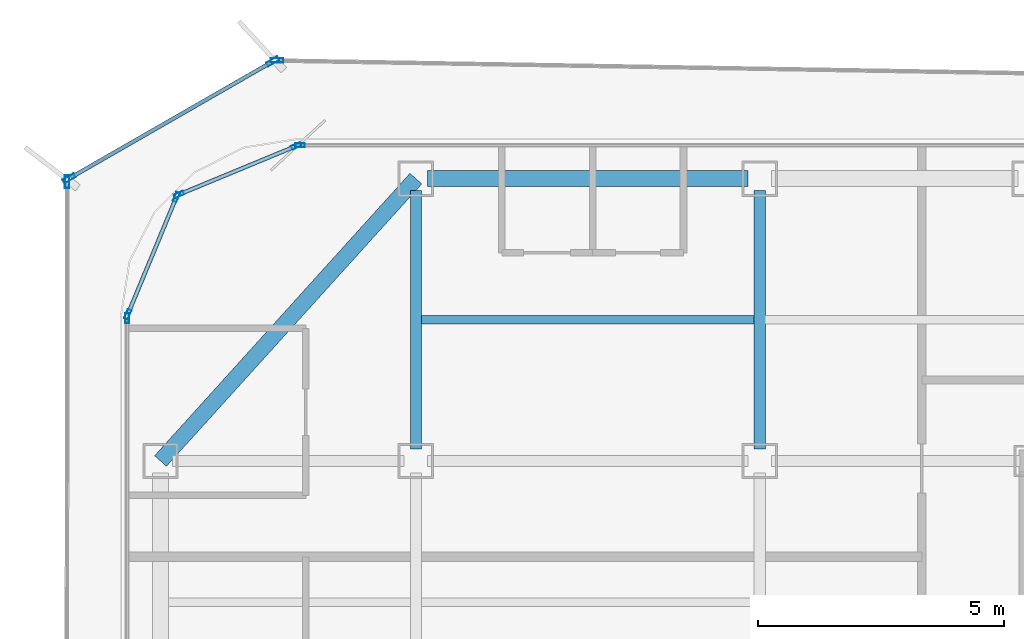
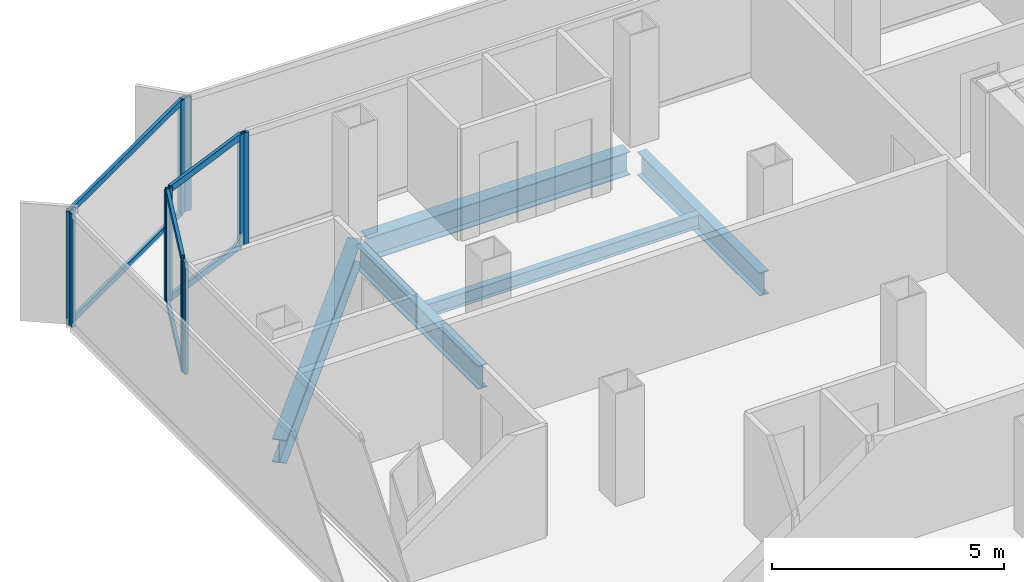
# One storey, part 6 of 16: 16 members, 5 beams, 7 elements without a shape of their own.
"""IFC4 building model written with IfcOpenShell, lengths in metres."""

from ifc_helpers import new_model, si_unit, direction, frame, origin, origin_2d, place, context, subcontext, project, spatial, hollow_rectangle, i_section, extrude, source, transform, mapped, material, layer, layer_set, material_profile, profile_set, type_object, element, aggregate, save


model = new_model("IFC4")

# Units and contexts
model_context = context("Model", 3, precision=1e-05, world=origin(), true_north=direction((0.0, 1.0)))
body_context = subcontext(model_context, "Body", "Model", "MODEL_VIEW")
ifc_project = project(units=[si_unit("LENGTHUNIT", "METRE"), si_unit("AREAUNIT", "SQUARE_METRE"), si_unit("VOLUMEUNIT", "CUBIC_METRE"), si_unit("PLANEANGLEUNIT", "RADIAN"), si_unit("MASSUNIT", "GRAM", prefix="KILO")], contexts=[model_context])

# Site, building, storey
site_placement = place(None, origin())
site = spatial("IfcSite", under=ifc_project, at=site_placement, CompositionType="ELEMENT")
building_placement = place(site_placement, origin())
building = spatial("IfcBuilding", under=site, at=building_placement, Name="Kolveth Station Tower", CompositionType="ELEMENT")
storey_placement = place(building_placement, frame((0.0, 0.0, 156.10009765625)))
storey = spatial("IfcBuildingStorey", under=building, at=storey_placement, Name="L43", CompositionType="ELEMENT", Elevation=156.10009765625)

# Beams
ifc_material_1 = material(Name="Steel S355", Category="steel")
ifc_material_profile_1 = material_profile(ifc_material_1, i_section(OverallWidth=0.323974609375, OverallDepth=0.611083984375, WebThickness=0.0126953125, FlangeThickness=0.01904296875, at=origin_2d()), Name="W610x155")
ifc_profile_set_1 = profile_set([ifc_material_profile_1], Name="Steel S355")
beam_type_1 = type_object("IfcBeamType", Name="Beam_SP2", PredefinedType="SPANDREL", material=ifc_profile_set_1)
shared_shape_1 = source(origin(), body_context, "Body", "SweptSolid", [
    extrude(i_section(OverallWidth=0.323974609375, OverallDepth=0.611083984375, WebThickness=0.0126953125, FlangeThickness=0.01904296875, at=origin_2d()), origin(), (0.0, 0.0, 1.0), 7.75244140625),
])
beam_1_placement = place(storey_placement, frame((6.0, 34.5, -0.5556640625), z_axis=(-0.670740965555, -0.74169168603, 0.0), x_axis=(0.74169168603, -0.670740965555, 0.0)))
element("IfcBeam", 1, at=beam_1_placement, inside=storey, type_object=beam_type_1, Name="L43 Corner Edge Girder BM-L43-CNR-NW", PredefinedType="SPANDREL", context=body_context, shape_type="MappedRepresentation", body=[
    mapped(shared_shape_1, transform((0.0, 0.0, 0.0), x_axis=(1.0, 0.0, 0.0), y_axis=(0.0, 1.0, 0.0), z_axis=(0.0, 0.0, 1.0), scale=1.0)),
])
shared_shape_2 = source(origin(), body_context, "Body", "SweptSolid", [
    extrude(i_section(OverallWidth=0.323974609375, OverallDepth=0.611083984375, WebThickness=0.0126953125, FlangeThickness=0.01904296875, at=origin_2d()), origin(), (0.0, 0.0, 1.0), 6.52001953125),
])
beam_2_placement = place(storey_placement, frame((6.239990234375, 34.5, -0.5556640625), z_axis=(1.0, 0.0, 0.0), x_axis=(0.0, 1.0, 0.0)))
element("IfcBeam", 2, at=beam_2_placement, inside=storey, type_object=beam_type_1, Name="L43 Perimeter Spandrel BM-L43-PN-1", PredefinedType="SPANDREL", context=body_context, shape_type="MappedRepresentation", body=[
    mapped(shared_shape_2, transform((0.0, 0.0, 0.0), x_axis=(1.0, 0.0, 0.0), y_axis=(0.0, 1.0, 0.0), z_axis=(0.0, 0.0, 1.0), scale=1.0)),
])
ifc_material_profile_2 = material_profile(ifc_material_1, i_section(OverallWidth=0.22900390625, OverallDepth=0.612060546875, WebThickness=0.011962890625, FlangeThickness=0.01953125, at=origin_2d()), Name="W610x125")
ifc_profile_set_2 = profile_set([ifc_material_profile_2], Name="Steel S355")
beam_type_2 = type_object("IfcBeamType", Name="Beam_B5", PredefinedType="BEAM", material=ifc_profile_set_2)
shared_shape_3 = source(origin(), body_context, "Body", "SweptSolid", [
    extrude(i_section(OverallWidth=0.22900390625, OverallDepth=0.612060546875, WebThickness=0.011962890625, FlangeThickness=0.01953125, at=origin_2d()), origin(), (0.0, 0.0, 1.0), 5.27001953125),
])
for number, where, z_axis, x_axis, name in (
    (3, (6.0, 28.989990234375, -0.55615234375), (0.0, 1.0, 0.0), (-1.0, 0.0, 0.0), "L43 Primary Girder BM-L43-GX60-6"),
    (4, (13.0, 28.989990234375, -0.55615234375), (0.0, 1.0, 0.0), (-1.0, 0.0, 0.0), "L43 Primary Girder BM-L43-GX130-6"),
):
    element("IfcBeam", number, at=place(storey_placement, frame(where, z_axis=z_axis, x_axis=x_axis)), inside=storey, type_object=beam_type_2, Name=name, PredefinedType="BEAM", context=body_context, shape_type="MappedRepresentation", body=[
        mapped(shared_shape_3, transform((0.0, 0.0, 0.0), x_axis=(1.0, 0.0, 0.0), y_axis=(0.0, 1.0, 0.0), z_axis=(0.0, 0.0, 1.0), scale=1.0)),
    ])
ifc_material_profile_3 = material_profile(ifc_material_1, i_section(OverallWidth=0.1708984375, OverallDepth=0.35205078125, WebThickness=0.0068359375, FlangeThickness=0.009765625, at=origin_2d()), Name="W360x44")
ifc_profile_set_3 = profile_set([ifc_material_profile_3], Name="Steel S355")
beam_type_3 = type_object("IfcBeamType", Name="Beam_J2", PredefinedType="JOIST", material=ifc_profile_set_3)
shared_shape_4 = source(origin(), body_context, "Body", "SweptSolid", [
    extrude(i_section(OverallWidth=0.1708984375, OverallDepth=0.35205078125, WebThickness=0.0068359375, FlangeThickness=0.009765625, at=origin_2d()), origin(), (0.0, 0.0, 1.0), 6.77490234375),
])
beam_3_placement = place(storey_placement, frame((6.112548828125, 31.625, -0.426025390625), z_axis=(1.0, 0.0, 0.0), x_axis=(0.0, 1.0, 0.0)))
element("IfcBeam", 5, at=beam_3_placement, inside=storey, type_object=beam_type_3, Name="L43 Secondary Joist JST-L43-2-6", PredefinedType="JOIST", context=body_context, shape_type="MappedRepresentation", body=[
    mapped(shared_shape_4, transform((0.0, 0.0, 0.0), x_axis=(1.0, 0.0, 0.0), y_axis=(0.0, 1.0, 0.0), z_axis=(0.0, 0.0, 1.0), scale=1.0)),
])

# Curtain wall, member
ifc_material_2 = material(Name="Aluminium 6063-T6 and low-E dark glass", Category="aluminium")
ifc_layer_1 = layer(ifc_material_2, 0.18994140625)
ifc_layer_set_1 = layer_set([ifc_layer_1], Name="Aluminium 6063-T6 and low-E dark glass")
curtain_wall_type_1 = type_object("IfcCurtainWallType", Name="CurtainWall_CW-Z2", PredefinedType="NOTDEFINED", material=ifc_layer_set_1)
curtain_wall_1_placement = place(storey_placement, origin())
curtain_wall_1 = element("IfcCurtainWall", 6, at=curtain_wall_1_placement, inside=storey, type_object=curtain_wall_type_1, Name="L43 Inner Thermal Curtain Wall 6", PredefinedType="NOTDEFINED")
ifc_material_3 = material(Name="Black anodized aluminium 6063-T6", Category="aluminium")
ifc_material_profile_4 = material_profile(ifc_material_3, hollow_rectangle(XDim=0.080078125, YDim=0.199951171875, WallThickness=0.0048828125, at=origin_2d()), Name="ALU-80x200x5")
ifc_profile_set_4 = profile_set([ifc_material_profile_4], Name="Black anodized aluminium 6063-T6")
member_type_1 = type_object("IfcMemberType", Name="Mullion_ML2", PredefinedType="MULLION", material=ifc_profile_set_4)
shared_shape_5 = source(origin(), body_context, "Body", "SweptSolid", [
    extrude(hollow_rectangle(XDim=0.080078125, YDim=0.199951171875, WallThickness=0.0048828125, at=origin_2d()), origin(), (0.0, 0.0, 1.0), 2.949951171875),
])
member_1_placement = place(storey_placement, frame((3.639892578125, 35.179931640625, 0.0), z_axis=(0.0, 0.0, 1.0), x_axis=(0.0, -1.0, 0.0)))
member_1 = element("IfcMember", 7, at=member_1_placement, type_object=member_type_1, Name="CW-Z2 mullion 2", PredefinedType="MULLION", context=body_context, shape_type="MappedRepresentation", body=[
    mapped(shared_shape_5, transform((0.0, 0.0, 0.0), x_axis=(1.0, 0.0, 0.0), y_axis=(0.0, 1.0, 0.0), z_axis=(0.0, 0.0, 1.0), scale=1.0)),
])
aggregate(curtain_wall_1, [member_1])

# Curtain wall, members
curtain_wall_2_placement = place(storey_placement, origin())
curtain_wall_2 = element("IfcCurtainWall", 8, at=curtain_wall_2_placement, inside=storey, type_object=curtain_wall_type_1, Name="L43 Inner Thermal Curtain Wall 7", PredefinedType="NOTDEFINED")
member_2_placement = place(storey_placement, frame((3.56298828125, 35.164794921875, 0.0), z_axis=(0.0, 0.0, 1.0), x_axis=(0.382697753087, -0.923873600544, 0.0)))
member_2 = element("IfcMember", 9, at=member_2_placement, type_object=member_type_1, Name="CW-Z2 mullion 1", PredefinedType="MULLION", context=body_context, shape_type="MappedRepresentation", body=[
    mapped(shared_shape_5, transform((0.0, 0.0, 0.0), x_axis=(1.0, 0.0, 0.0), y_axis=(0.0, 1.0, 0.0), z_axis=(0.0, 0.0, 1.0), scale=1.0)),
])
member_3_placement = place(storey_placement, frame((1.17626953125, 34.176025390625, 0.0), z_axis=(0.0, 0.0, 1.0), x_axis=(0.382697753087, -0.923873600544, 0.0)))
member_3 = element("IfcMember", 10, at=member_3_placement, type_object=member_type_1, Name="CW-Z2 mullion 2", PredefinedType="MULLION", context=body_context, shape_type="MappedRepresentation", body=[
    mapped(shared_shape_5, transform((0.0, 0.0, 0.0), x_axis=(1.0, 0.0, 0.0), y_axis=(0.0, 1.0, 0.0), z_axis=(0.0, 0.0, 1.0), scale=1.0)),
])

curtain_wall_3_placement = place(storey_placement, origin())
curtain_wall_3 = element("IfcCurtainWall", 11, at=curtain_wall_3_placement, inside=storey, type_object=curtain_wall_type_1, Name="L43 Inner Thermal Curtain Wall 8", PredefinedType="NOTDEFINED")
member_4_placement = place(storey_placement, frame((1.1240234375, 34.123779296875, 0.0), z_axis=(0.0, 0.0, 1.0), x_axis=(0.923873600544, -0.382697753087, 0.0)))
member_4 = element("IfcMember", 12, at=member_4_placement, type_object=member_type_1, Name="CW-Z2 mullion 1", PredefinedType="MULLION", context=body_context, shape_type="MappedRepresentation", body=[
    mapped(shared_shape_5, transform((0.0, 0.0, 0.0), x_axis=(1.0, 0.0, 0.0), y_axis=(0.0, 1.0, 0.0), z_axis=(0.0, 0.0, 1.0), scale=1.0)),
])
member_5_placement = place(storey_placement, frame((0.13525390625, 31.737060546875, 0.0), z_axis=(0.0, 0.0, 1.0), x_axis=(0.923873600544, -0.382697753087, 0.0)))
member_5 = element("IfcMember", 13, at=member_5_placement, type_object=member_type_1, Name="CW-Z2 mullion 2", PredefinedType="MULLION", context=body_context, shape_type="MappedRepresentation", body=[
    mapped(shared_shape_5, transform((0.0, 0.0, 0.0), x_axis=(1.0, 0.0, 0.0), y_axis=(0.0, 1.0, 0.0), z_axis=(0.0, 0.0, 1.0), scale=1.0)),
])

# Curtain wall, member
curtain_wall_4_placement = place(storey_placement, origin())
curtain_wall_4 = element("IfcCurtainWall", 14, at=curtain_wall_4_placement, inside=storey, type_object=curtain_wall_type_1, Name="L43 Inner Thermal Curtain Wall 9", PredefinedType="NOTDEFINED")
member_6_placement = place(storey_placement, frame((0.1201171875, 31.659912109375, 0.0), z_axis=(0.0, 0.0, 1.0), x_axis=(1.0, 0.0, 0.0)))
member_6 = element("IfcMember", 15, at=member_6_placement, type_object=member_type_1, Name="CW-Z2 mullion 1", PredefinedType="MULLION", context=body_context, shape_type="MappedRepresentation", body=[
    mapped(shared_shape_5, transform((0.0, 0.0, 0.0), x_axis=(1.0, 0.0, 0.0), y_axis=(0.0, 1.0, 0.0), z_axis=(0.0, 0.0, 1.0), scale=1.0)),
])
aggregate(curtain_wall_4, [member_6])

ifc_material_4 = material(Name="Black anodized aluminium 6063-T6 and dark solar glass", Category="aluminium")
ifc_layer_2 = layer(ifc_material_4, 0.159912109375)
ifc_layer_set_2 = layer_set([ifc_layer_2], Name="Black anodized aluminium 6063-T6 and dark solar glass")
curtain_wall_type_2 = type_object("IfcCurtainWallType", Name="OUTER SKIN CW-OS", PredefinedType="NOTDEFINED", material=ifc_layer_set_2)
curtain_wall_5_placement = place(storey_placement, origin())
curtain_wall_5 = element("IfcCurtainWall", 16, at=curtain_wall_5_placement, inside=storey, type_object=curtain_wall_type_2, Name="L43 Outer Ventilated Skin Curtain Wall 4", PredefinedType="NOTDEFINED")
ifc_material_profile_5 = material_profile(ifc_material_3, hollow_rectangle(XDim=0.090087890625, YDim=0.260009765625, WallThickness=0.0048828125, at=origin_2d()), Name="ALU-90x260x5")
ifc_profile_set_5 = profile_set([ifc_material_profile_5], Name="Black anodized aluminium 6063-T6")
member_type_2 = type_object("IfcMemberType", Name="FIN MULLION ML-OS", PredefinedType="MULLION", material=ifc_profile_set_5)
shared_shape_6 = source(origin(), body_context, "Body", "SweptSolid", [
    extrude(hollow_rectangle(XDim=0.090087890625, YDim=0.260009765625, WallThickness=0.0048828125, at=origin_2d()), origin(), (0.0, 0.0, 1.0), 2.989990234375),
])
member_7_placement = place(storey_placement, frame((3.17138671875, 36.908203125, 0.0), z_axis=(0.0, 0.0, 1.0), x_axis=(-0.016878486243, -0.999857548205, 0.0)))
member_7 = element("IfcMember", 17, at=member_7_placement, type_object=member_type_2, Name="CW-OS mullion 2", PredefinedType="MULLION", context=body_context, shape_type="MappedRepresentation", body=[
    mapped(shared_shape_6, transform((0.0, 0.0, 0.0), x_axis=(1.0, 0.0, 0.0), y_axis=(0.0, 1.0, 0.0), z_axis=(0.0, 0.0, 1.0), scale=1.0)),
])
aggregate(curtain_wall_5, [member_7])

# Curtain wall, members
curtain_wall_6_placement = place(storey_placement, origin())
curtain_wall_6 = element("IfcCurtainWall", 18, at=curtain_wall_6_placement, inside=storey, type_object=curtain_wall_type_2, Name="L43 Outer Ventilated Skin Curtain Wall 5", PredefinedType="NOTDEFINED")
member_8_placement = place(storey_placement, frame((3.08740234375, 36.886474609375, 0.0), z_axis=(0.0, 0.0, 1.0), x_axis=(0.498121507049, -0.867107239167, 0.0)))
member_8 = element("IfcMember", 19, at=member_8_placement, type_object=member_type_2, Name="CW-OS mullion 1", PredefinedType="MULLION", context=body_context, shape_type="MappedRepresentation", body=[
    mapped(shared_shape_6, transform((0.0, 0.0, 0.0), x_axis=(1.0, 0.0, 0.0), y_axis=(0.0, 1.0, 0.0), z_axis=(0.0, 0.0, 1.0), scale=1.0)),
])
member_9_placement = place(storey_placement, frame((-1.061279296875, 34.503173828125, 0.0), z_axis=(0.0, 0.0, 1.0), x_axis=(0.498121507049, -0.867107239167, 0.0)))
member_9 = element("IfcMember", 20, at=member_9_placement, type_object=member_type_2, Name="CW-OS mullion 2", PredefinedType="MULLION", context=body_context, shape_type="MappedRepresentation", body=[
    mapped(shared_shape_6, transform((0.0, 0.0, 0.0), x_axis=(1.0, 0.0, 0.0), y_axis=(0.0, 1.0, 0.0), z_axis=(0.0, 0.0, 1.0), scale=1.0)),
])

# Curtain wall, member
curtain_wall_7_placement = place(storey_placement, origin())
curtain_wall_7 = element("IfcCurtainWall", 21, at=curtain_wall_7_placement, inside=storey, type_object=curtain_wall_type_2, Name="L43 Outer Ventilated Skin Curtain Wall 6", PredefinedType="NOTDEFINED")
member_10_placement = place(storey_placement, frame((-1.100341796875, 34.435791015625, 0.0), z_axis=(0.0, 0.0, 1.0), x_axis=(0.999999324349, -0.001162454784, 0.0)))
member_10 = element("IfcMember", 22, at=member_10_placement, type_object=member_type_2, Name="CW-OS mullion 1", PredefinedType="MULLION", context=body_context, shape_type="MappedRepresentation", body=[
    mapped(shared_shape_6, transform((0.0, 0.0, 0.0), x_axis=(1.0, 0.0, 0.0), y_axis=(0.0, 1.0, 0.0), z_axis=(0.0, 0.0, 1.0), scale=1.0)),
])
aggregate(curtain_wall_7, [member_10])

# Member
ifc_material_profile_6 = material_profile(ifc_material_3, hollow_rectangle(XDim=0.080078125, YDim=0.169921875, WallThickness=0.0048828125, at=origin_2d()), Name="ALU-80x170x5")
ifc_profile_set_6 = profile_set([ifc_material_profile_6], Name="Black anodized aluminium 6063-T6")
member_type_3 = type_object("IfcMemberType", Name="Transom_TR2", PredefinedType="USERDEFINED", material=ifc_profile_set_6)
shared_shape_7 = source(origin(), body_context, "Body", "SweptSolid", [
    extrude(hollow_rectangle(XDim=0.080078125, YDim=0.169921875, WallThickness=0.0048828125, at=origin_2d()), origin(), (0.0, 0.0, 1.0), 2.50341796875),
])
member_11_placement = place(storey_placement, frame((3.526123046875, 35.1494140625, 0.039794921875), z_axis=(-0.923888472039, -0.382661849723, 0.0), x_axis=(0.382661849723, -0.923888472039, 0.0)))
member_11 = element("IfcMember", 23, at=member_11_placement, type_object=member_type_3, Name="CW-Z2 transom 1.1", ObjectType="TRANSOM", PredefinedType="USERDEFINED", context=body_context, shape_type="MappedRepresentation", body=[
    mapped(shared_shape_7, transform((0.0, 0.0, 0.0), x_axis=(1.0, 0.0, 0.0), y_axis=(0.0, 1.0, 0.0), z_axis=(0.0, 0.0, 1.0), scale=1.0)),
])

member_12_placement = place(storey_placement, frame((3.526123046875, 35.1494140625, 2.909912109375), z_axis=(-0.923888472039, -0.382661849723, 0.0), x_axis=(0.382661849723, -0.923888472039, 0.0)))
member_12 = element("IfcMember", 24, at=member_12_placement, type_object=member_type_3, Name="CW-Z2 transom 1.2", ObjectType="TRANSOM", PredefinedType="USERDEFINED", context=body_context, shape_type="MappedRepresentation", body=[
    mapped(shared_shape_7, transform((0.0, 0.0, 0.0), x_axis=(1.0, 0.0, 0.0), y_axis=(0.0, 1.0, 0.0), z_axis=(0.0, 0.0, 1.0), scale=1.0)),
])

aggregate(curtain_wall_2, [member_2, member_3, member_11, member_12])

member_13_placement = place(storey_placement, frame((1.108642578125, 34.086669921875, 0.039794921875), z_axis=(-0.382696328882, -0.923874190494, 0.0), x_axis=(0.923874190494, -0.382696328882, 0.0)))
member_13 = element("IfcMember", 25, at=member_13_placement, type_object=member_type_3, Name="CW-Z2 transom 1.1", ObjectType="TRANSOM", PredefinedType="USERDEFINED", context=body_context, shape_type="MappedRepresentation", body=[
    mapped(shared_shape_7, transform((0.0, 0.0, 0.0), x_axis=(1.0, 0.0, 0.0), y_axis=(0.0, 1.0, 0.0), z_axis=(0.0, 0.0, 1.0), scale=1.0)),
])

member_14_placement = place(storey_placement, frame((1.108642578125, 34.086669921875, 2.909912109375), z_axis=(-0.382696328882, -0.923874190494, 0.0), x_axis=(0.923874190494, -0.382696328882, 0.0)))
member_14 = element("IfcMember", 26, at=member_14_placement, type_object=member_type_3, Name="CW-Z2 transom 1.2", ObjectType="TRANSOM", PredefinedType="USERDEFINED", context=body_context, shape_type="MappedRepresentation", body=[
    mapped(shared_shape_7, transform((0.0, 0.0, 0.0), x_axis=(1.0, 0.0, 0.0), y_axis=(0.0, 1.0, 0.0), z_axis=(0.0, 0.0, 1.0), scale=1.0)),
])

aggregate(curtain_wall_3, [member_4, member_5, member_13, member_14])

ifc_material_profile_7 = material_profile(ifc_material_3, hollow_rectangle(XDim=0.080078125, YDim=0.14990234375, WallThickness=0.0048828125, at=origin_2d()), Name="ALU-80x150x5")
ifc_profile_set_7 = profile_set([ifc_material_profile_7], Name="Black anodized aluminium 6063-T6")
member_type_4 = type_object("IfcMemberType", Name="Transom_TR-OS", PredefinedType="USERDEFINED", material=ifc_profile_set_7)
shared_shape_8 = source(origin(), body_context, "Body", "SweptSolid", [
    extrude(hollow_rectangle(XDim=0.080078125, YDim=0.14990234375, WallThickness=0.0048828125, at=origin_2d()), origin(), (0.0, 0.0, 1.0), 4.69482421875),
])
member_15_placement = place(storey_placement, frame((3.04833984375, 36.8642578125, 0.039794921875), z_axis=(-0.867098373823, -0.498136939118, 0.0), x_axis=(0.498136939118, -0.867098373823, 0.0)))
member_15 = element("IfcMember", 27, at=member_15_placement, type_object=member_type_4, Name="CW-OS transom 1.1", ObjectType="TRANSOM", PredefinedType="USERDEFINED", context=body_context, shape_type="MappedRepresentation", body=[
    mapped(shared_shape_8, transform((0.0, 0.0, 0.0), x_axis=(1.0, 0.0, 0.0), y_axis=(0.0, 1.0, 0.0), z_axis=(0.0, 0.0, 1.0), scale=1.0)),
])

member_16_placement = place(storey_placement, frame((3.04833984375, 36.8642578125, 2.949951171875), z_axis=(-0.867098373823, -0.498136939118, 0.0), x_axis=(0.498136939118, -0.867098373823, 0.0)))
member_16 = element("IfcMember", 28, at=member_16_placement, type_object=member_type_4, Name="CW-OS transom 1.2", ObjectType="TRANSOM", PredefinedType="USERDEFINED", context=body_context, shape_type="MappedRepresentation", body=[
    mapped(shared_shape_8, transform((0.0, 0.0, 0.0), x_axis=(1.0, 0.0, 0.0), y_axis=(0.0, 1.0, 0.0), z_axis=(0.0, 0.0, 1.0), scale=1.0)),
])

aggregate(curtain_wall_6, [member_8, member_9, member_15, member_16])

save(model, "model.ifc")
